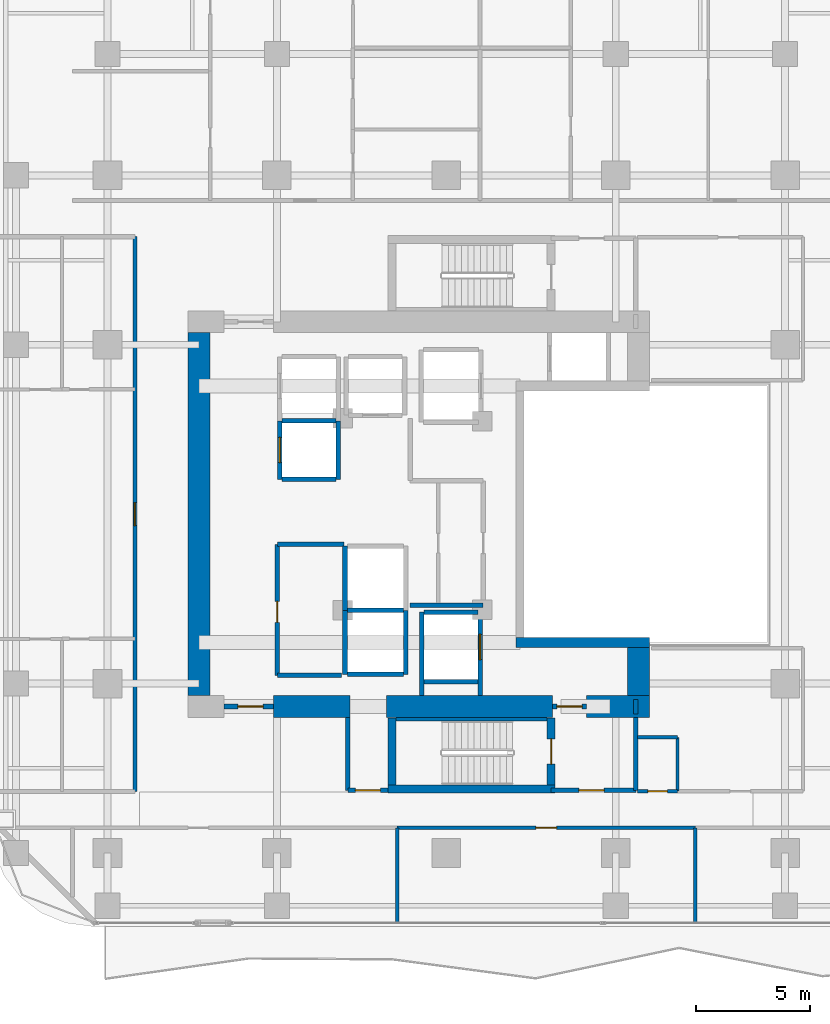
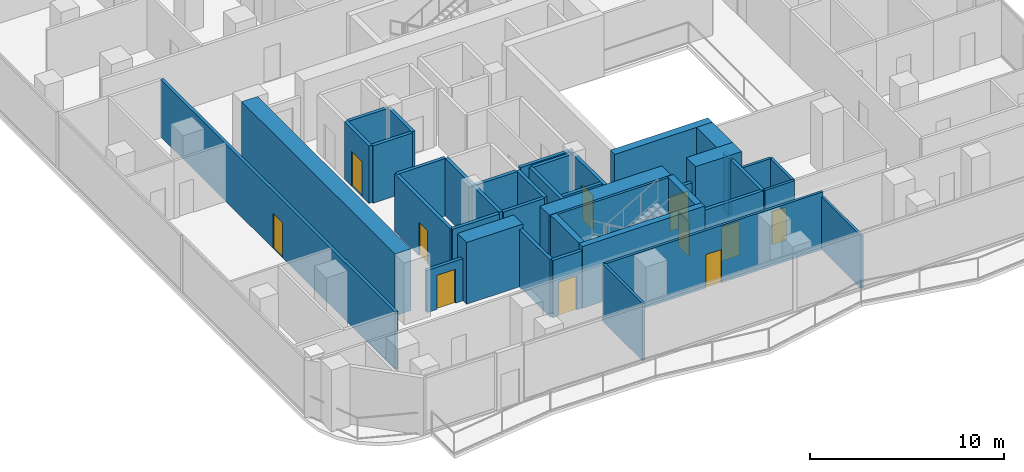
# One storey, part 20 of 27: 41 walls, 11 doors, 11 openings.
"""IFC4 building model written with IfcOpenShell, lengths in metres."""

from ifc_helpers import new_model, si_unit, direction, frame, frame_2d, origin, place, context, subcontext, project, spatial, rectangle, extrude, material, layer, layer_set, type_object, element, fill, save


model = new_model("IFC4")

# Units and contexts
model_context = context("Model", 3, precision=1e-05, world=origin(), true_north=direction((0.0, 1.0)))
body_context = subcontext(model_context, "Body", "Model", "MODEL_VIEW")
ifc_project = project(units=[si_unit("LENGTHUNIT", "METRE"), si_unit("AREAUNIT", "SQUARE_METRE"), si_unit("VOLUMEUNIT", "CUBIC_METRE"), si_unit("PLANEANGLEUNIT", "RADIAN"), si_unit("MASSUNIT", "GRAM", prefix="KILO")], contexts=[model_context])

# Site, building, storey
site_placement = place(None, origin())
site = spatial("IfcSite", under=ifc_project, at=site_placement, CompositionType="ELEMENT")
building_placement = place(site_placement, origin())
building = spatial("IfcBuilding", under=site, at=building_placement, Name="Khorvyn Point Tower", CompositionType="ELEMENT")
storey_placement = place(building_placement, frame((0.0, 0.0, 132.89990234375)))
storey = spatial("IfcBuildingStorey", under=building, at=storey_placement, Name="L33", CompositionType="ELEMENT", Elevation=132.89990234375)

# Wall, opening, door
ifc_material_1 = material(Name="Double acoustic gypsum on twin steel stud", Category="steel")
ifc_layer_1 = layer(ifc_material_1, 0.179931640625)
ifc_layer_set_1 = layer_set([ifc_layer_1], Name="Acoustic Double-Stud Apartment Demising Wall 180")
wall_type_1 = type_object("IfcWallType", Name="Acoustic Double-Stud Apartment Demising Wall 180", PredefinedType="PARTITIONING", material=ifc_layer_set_1)
wall_1_placement = place(storey_placement, frame((-13.60009765625, -12.1201171875, 0.0), z_axis=(0.0, 0.0, 1.0), x_axis=(0.0, 1.0, 0.0)))
wall_1 = element("IfcWall", 1, at=wall_1_placement, inside=storey, type_object=wall_type_1, Name="Wall", PredefinedType="PARTITIONING", context=body_context, shape_type="SweptSolid", body=[
    extrude(rectangle(XDim=24.240234375, YDim=0.179931640625, at=frame_2d((12.1201171875, 0.0))), origin(), (0.0, 0.0, 1.0), 3.6201171875),
])
opening_1_placement = place(wall_1_placement, frame((11.6201171875, 0.0, 0.0)))
opening_1 = element("IfcOpeningElement", 2, at=opening_1_placement, cuts=wall_1, Name="Opening ID-AP60", PredefinedType="OPENING", context=body_context, shape_type="SweptSolid", body=[
    extrude(rectangle(XDim=1.0, YDim=2.199951171875, at=frame_2d((0.5, 1.10009765625))), frame((0.0, 0.099853515625, 0.0), z_axis=(0.0, -1.0, 0.0), x_axis=(1.0, 0.0, 0.0)), (0.0, 0.0, 1.0), 0.199951171875),
])
ifc_material_2 = material(Name="Engineered hardwood fire-rated leaf", Category="wood")
door_type_1 = type_object("IfcDoorType", Name="Acoustic Solid-Core Timber Apartment Entrance Door 1000x2200", OperationType="NOTDEFINED", PredefinedType="DOOR", material=ifc_material_2)
door_1_placement = place(opening_1_placement, origin())
door_1 = element("IfcDoor", 3, at=door_1_placement, inside=storey, type_object=door_type_1, Name="Door", OperationType="SINGLE_SWING_RIGHT", OverallHeight=2.199951171875, OverallWidth=1.0, PredefinedType="DOOR", context=body_context, shape_type="SweptSolid", body=[
    extrude(rectangle(XDim=1.0, YDim=2.199951171875, at=frame_2d((0.5, 1.10009765625))), frame((0.0, 0.02490234375, 0.0), z_axis=(0.0, -1.0, 0.0), x_axis=(1.0, 0.0, 0.0)), (0.0, 0.0, 1.0), 0.050048828125),
])
fill(opening_1, door_1)

# Wall
ifc_material_3 = material(Name="Concrete C40/50", Category="concrete")
ifc_layer_2 = layer(ifc_material_3, 0.449951171875)
ifc_layer_set_2 = layer_set([ifc_layer_2], Name="Concrete C40/50 Core Shear Wall 450")
wall_type_2 = type_object("IfcWallType", Name="Concrete C40/50 Core Shear Wall 450", PredefinedType="SHEAR", material=ifc_layer_set_2)
wall_2_placement = place(storey_placement, frame((3.044921875, -5.60009765625, 0.0), z_axis=(0.0, 0.0, 1.0), x_axis=(1.0, 0.0, 0.0)))
element("IfcWall", 4, at=wall_2_placement, inside=storey, type_object=wall_type_2, Name="Wall", PredefinedType="SHEAR", context=body_context, shape_type="SweptSolid", body=[
    extrude(rectangle(XDim=5.830078125, YDim=0.449951171875, at=frame_2d((2.9150390625, 0.0))), origin(), (0.0, 0.0, 1.0), 3.900146484375),
])

# Wall, opening, door
ifc_layer_3 = layer(ifc_material_3, 0.199951171875)
ifc_layer_set_3 = layer_set([ifc_layer_3], Name="Concrete C40/50 Fire-Lobby Compartment Wall 200")
wall_type_3 = type_object("IfcWallType", Name="Concrete C40/50 Fire-Lobby Compartment Wall 200", PredefinedType="SOLIDWALL", material=ifc_layer_set_3)
wall_3_placement = place(storey_placement, frame((4.580078125, -12.06005859375, 0.0), z_axis=(0.0, 0.0, 1.0), x_axis=(1.0, 0.0, 0.0)))
wall_3 = element("IfcWall", 5, at=wall_3_placement, inside=storey, type_object=wall_type_3, Name="Wall", PredefinedType="SOLIDWALL", context=body_context, shape_type="SweptSolid", body=[
    extrude(rectangle(XDim=3.699951171875, YDim=0.199951171875, at=frame_2d((1.85009765625, 0.0))), origin(), (0.0, 0.0, 1.0), 3.6201171875),
])
opening_2_placement = place(wall_3_placement, frame((1.21240234375, 0.0, 0.0)))
opening_2 = element("IfcOpeningElement", 6, at=opening_2_placement, cuts=wall_3, Name="Opening ID-FL90", PredefinedType="OPENING", context=body_context, shape_type="SweptSolid", body=[
    extrude(rectangle(XDim=1.10009765625, YDim=2.14990234375, at=frame_2d((0.550048828125, 1.074951171875))), frame((0.0, 0.10986328125, 0.0), z_axis=(0.0, -1.0, 0.0), x_axis=(1.0, 0.0, 0.0)), (0.0, 0.0, 1.0), 0.219970703125),
])
ifc_material_4 = material(Name="Galvanised powder-coated steel", Category="steel")
door_type_2 = type_object("IfcDoorType", Name="Fire-Rated Steel Lobby and Stair Door 1100x2150", OperationType="NOTDEFINED", PredefinedType="DOOR", material=ifc_material_4)
door_2_placement = place(opening_2_placement, origin())
door_2 = element("IfcDoor", 7, at=door_2_placement, inside=storey, type_object=door_type_2, Name="Door", OperationType="SINGLE_SWING_LEFT", OverallHeight=2.14990234375, OverallWidth=1.10009765625, PredefinedType="DOOR", context=body_context, shape_type="SweptSolid", body=[
    extrude(rectangle(XDim=1.10009765625, YDim=2.14990234375, at=frame_2d((0.550048828125, 1.074951171875))), frame((0.0, 0.02490234375, 0.0), z_axis=(0.0, -1.0, 0.0), x_axis=(1.0, 0.0, 0.0)), (0.0, 0.0, 1.0), 0.050048828125),
])
fill(opening_2, door_2)

wall_4_placement = place(storey_placement, frame((4.64990234375, -8.39990234375, 0.0), z_axis=(0.0, 0.0, 1.0), x_axis=(1.0, 0.0, 0.0)))
wall_4 = element("IfcWall", 8, at=wall_4_placement, inside=storey, type_object=wall_type_3, Name="Wall", PredefinedType="SOLIDWALL", context=body_context, shape_type="SweptSolid", body=[
    extrude(rectangle(XDim=1.47021484375, YDim=0.199951171875, at=frame_2d((0.735107421875, 0.0))), origin(), (0.0, 0.0, 1.0), 2.66015625),
])
opening_3_placement = place(wall_4_placement, frame((0.18505859375, 0.0, 0.0)))
opening_3 = element("IfcOpeningElement", 9, at=opening_3_placement, cuts=wall_4, Name="Opening ID-FL90", PredefinedType="OPENING", context=body_context, shape_type="SweptSolid", body=[
    extrude(rectangle(XDim=1.10009765625, YDim=2.14990234375, at=frame_2d((0.550048828125, 1.074951171875))), frame((0.0, 0.10986328125, 0.0), z_axis=(0.0, -1.0, 0.0), x_axis=(1.0, 0.0, 0.0)), (0.0, 0.0, 1.0), 0.219970703125),
])
door_3_placement = place(opening_3_placement, origin())
door_3 = element("IfcDoor", 10, at=door_3_placement, inside=storey, type_object=door_type_2, Name="Door", OperationType="SINGLE_SWING_RIGHT", OverallHeight=2.14990234375, OverallWidth=1.10009765625, PredefinedType="DOOR", context=body_context, shape_type="SweptSolid", body=[
    extrude(rectangle(XDim=1.10009765625, YDim=2.14990234375, at=frame_2d((0.550048828125, 1.074951171875))), frame((0.0, 0.02490234375, 0.0), z_axis=(0.0, -1.0, 0.0), x_axis=(1.0, 0.0, 0.0)), (0.0, 0.0, 1.0), 0.050048828125),
])
fill(opening_3, door_3)

wall_5_placement = place(storey_placement, frame((-9.699951171875, -8.39990234375, 0.0), z_axis=(0.0, 0.0, 1.0), x_axis=(1.0, 0.0, 0.0)))
wall_5 = element("IfcWall", 11, at=wall_5_placement, inside=storey, type_object=wall_type_3, Name="Wall", PredefinedType="SOLIDWALL", context=body_context, shape_type="SweptSolid", body=[
    extrude(rectangle(XDim=2.14990234375, YDim=0.199951171875, at=frame_2d((1.074951171875, 0.0))), origin(), (0.0, 0.0, 1.0), 2.66015625),
])
opening_4_placement = place(wall_5_placement, frame((0.597900390625, 0.0, 0.0)))
opening_4 = element("IfcOpeningElement", 12, at=opening_4_placement, cuts=wall_5, Name="Opening ID-FL90", PredefinedType="OPENING", context=body_context, shape_type="SweptSolid", body=[
    extrude(rectangle(XDim=1.10009765625, YDim=2.14990234375, at=frame_2d((0.550048828125, 1.074951171875))), frame((0.0, 0.10986328125, 0.0), z_axis=(0.0, -1.0, 0.0), x_axis=(1.0, 0.0, 0.0)), (0.0, 0.0, 1.0), 0.219970703125),
])
door_4_placement = place(opening_4_placement, origin())
door_4 = element("IfcDoor", 13, at=door_4_placement, inside=storey, type_object=door_type_2, Name="Door", OperationType="SINGLE_SWING_RIGHT", OverallHeight=2.14990234375, OverallWidth=1.10009765625, PredefinedType="DOOR", context=body_context, shape_type="SweptSolid", body=[
    extrude(rectangle(XDim=1.10009765625, YDim=2.14990234375, at=frame_2d((0.550048828125, 1.074951171875))), frame((0.0, 0.02490234375, 0.0), z_axis=(0.0, -1.0, 0.0), x_axis=(1.0, 0.0, 0.0)), (0.0, 0.0, 1.0), 0.050048828125),
])
fill(opening_4, door_4)

wall_6_placement = place(storey_placement, frame((-4.300048828125, -12.06005859375, 0.0), z_axis=(0.0, 0.0, 1.0), x_axis=(1.0, 0.0, 0.0)))
wall_6 = element("IfcWall", 14, at=wall_6_placement, inside=storey, type_object=wall_type_3, Name="Wall", PredefinedType="SOLIDWALL", context=body_context, shape_type="SweptSolid", body=[
    extrude(rectangle(XDim=1.75, YDim=0.199951171875, at=frame_2d((0.875, 0.0))), origin(), (0.0, 0.0, 1.0), 3.6201171875),
])
opening_5_placement = place(wall_6_placement, frame((0.324951171875, 0.0, 0.0)))
opening_5 = element("IfcOpeningElement", 15, at=opening_5_placement, cuts=wall_6, Name="Opening ID-FL90", PredefinedType="OPENING", context=body_context, shape_type="SweptSolid", body=[
    extrude(rectangle(XDim=1.10009765625, YDim=2.14990234375, at=frame_2d((0.550048828125, 1.074951171875))), frame((0.0, 0.10986328125, 0.0), z_axis=(0.0, -1.0, 0.0), x_axis=(1.0, 0.0, 0.0)), (0.0, 0.0, 1.0), 0.219970703125),
])
door_5_placement = place(opening_5_placement, origin())
door_5 = element("IfcDoor", 16, at=door_5_placement, inside=storey, type_object=door_type_2, Name="Door", OperationType="SINGLE_SWING_RIGHT", OverallHeight=2.14990234375, OverallWidth=1.10009765625, PredefinedType="DOOR", context=body_context, shape_type="SweptSolid", body=[
    extrude(rectangle(XDim=1.10009765625, YDim=2.14990234375, at=frame_2d((0.550048828125, 1.074951171875))), frame((0.0, 0.02490234375, 0.0), z_axis=(0.0, -1.0, 0.0), x_axis=(1.0, 0.0, 0.0)), (0.0, 0.0, 1.0), 0.050048828125),
])
fill(opening_5, door_5)

wall_7_placement = place(storey_placement, frame((-7.3798828125, -7.0400390625, 0.0), z_axis=(0.0, 0.0, 1.0), x_axis=(0.0, 1.0, 0.0)))
wall_7 = element("IfcWall", 17, at=wall_7_placement, inside=storey, type_object=wall_type_3, Name="Wall", PredefinedType="SOLIDWALL", context=body_context, shape_type="SweptSolid", body=[
    extrude(rectangle(XDim=5.719970703125, YDim=0.199951171875, at=frame_2d((2.85986328125, 0.0))), origin(), (0.0, 0.0, 1.0), 3.6201171875),
])
opening_6_placement = place(wall_7_placement, frame((2.310302734375, 0.0, 0.0)))
opening_6 = element("IfcOpeningElement", 18, at=opening_6_placement, cuts=wall_7, Name="Opening ID-RS60", PredefinedType="OPENING", context=body_context, shape_type="SweptSolid", body=[
    extrude(rectangle(XDim=0.919921875, YDim=2.10009765625, at=frame_2d((0.4599609375, 1.050048828125))), frame((0.0, 0.10986328125, 0.0), z_axis=(0.0, -1.0, 0.0), x_axis=(1.0, 0.0, 0.0)), (0.0, 0.0, 1.0), 0.219970703125),
])
door_type_3 = type_object("IfcDoorType", Name="Fire-Rated Riser and Store Steel Door 920x2100", OperationType="NOTDEFINED", PredefinedType="DOOR", material=ifc_material_4)
door_6_placement = place(opening_6_placement, origin())
door_6 = element("IfcDoor", 19, at=door_6_placement, inside=storey, type_object=door_type_3, Name="Door", OperationType="SINGLE_SWING_LEFT", OverallHeight=2.10009765625, OverallWidth=0.919921875, PredefinedType="DOOR", context=body_context, shape_type="SweptSolid", body=[
    extrude(rectangle(XDim=0.919921875, YDim=2.10009765625, at=frame_2d((0.4599609375, 1.050048828125))), frame((0.0, 0.02490234375, 0.0), z_axis=(0.0, -1.0, 0.0), x_axis=(1.0, 0.0, 0.0)), (0.0, 0.0, 1.0), 0.050048828125),
])
fill(opening_6, door_6)

# Walls
for number, where, z_axis, x_axis, name in (
    (20, (8.280029296875, -12.06005859375, 0.0), (0.0, 0.0, 1.0), (0.0, 1.0, 0.0), "Wall"),
    (21, (-4.300048828125, -12.06005859375, 0.0), (0.0, 0.0, 1.0), (0.0, 1.0, 0.0), "Wall"),
):
    element("IfcWall", number, at=place(storey_placement, frame(where, z_axis=z_axis, x_axis=x_axis)), inside=storey, type_object=wall_type_3, Name=name, PredefinedType="SOLIDWALL", context=body_context, shape_type="SweptSolid", body=[
        extrude(rectangle(XDim=3.18505859375, YDim=0.199951171875, at=frame_2d((1.592529296875, 0.0))), origin(), (0.0, 0.0, 1.0), 3.6201171875),
    ])
wall_8_placement = place(storey_placement, frame((-7.3798828125, -1.320068359375, 0.0), z_axis=(0.0, 0.0, 1.0), x_axis=(1.0, 0.0, 0.0)))
element("IfcWall", 22, at=wall_8_placement, inside=storey, type_object=wall_type_3, Name="Wall", PredefinedType="SOLIDWALL", context=body_context, shape_type="SweptSolid", body=[
    extrude(rectangle(XDim=2.909912109375, YDim=0.199951171875, at=frame_2d((1.455078125, 0.0))), origin(), (0.0, 0.0, 1.0), 3.6201171875),
])
wall_9_placement = place(storey_placement, frame((-1.580078125, -3.97998046875, 0.0), z_axis=(0.0, 0.0, 1.0), x_axis=(1.0, 0.0, 0.0)))
element("IfcWall", 23, at=wall_9_placement, inside=storey, type_object=wall_type_3, Name="Wall", PredefinedType="SOLIDWALL", context=body_context, shape_type="SweptSolid", body=[
    extrude(rectangle(XDim=3.190185546875, YDim=0.199951171875, at=frame_2d((1.59521484375, 0.0))), origin(), (0.0, 0.0, 1.0), 3.6201171875),
])
wall_10_placement = place(storey_placement, frame((-7.3798828125, -7.0400390625, 0.0), z_axis=(0.0, 0.0, 1.0), x_axis=(1.0, 0.0, 0.0)))
element("IfcWall", 24, at=wall_10_placement, inside=storey, type_object=wall_type_3, Name="Wall", PredefinedType="SOLIDWALL", context=body_context, shape_type="SweptSolid", body=[
    extrude(rectangle(XDim=2.7998046875, YDim=0.199951171875, at=frame_2d((1.39990234375, 0.0))), origin(), (0.0, 0.0, 1.0), 3.6201171875),
])
wall_11_placement = place(storey_placement, frame((8.280029296875, -8.72509765625, 0.0), z_axis=(0.0, 0.0, 1.0), x_axis=(0.0, 1.0, 0.0)))
element("IfcWall", 25, at=wall_11_placement, inside=storey, type_object=wall_type_3, Name="Wall", PredefinedType="SOLIDWALL", context=body_context, shape_type="SweptSolid", body=[
    extrude(rectangle(XDim=0.625, YDim=0.199951171875, at=frame_2d((0.3125, 0.0))), origin(), (0.0, 0.0, 1.0), 3.6201171875),
])
ifc_layer_4 = layer(ifc_material_3, 0.25)
ifc_layer_set_4 = layer_set([ifc_layer_4], Name="Concrete C40/50 Stair Inner Cheek Structural Wall 250")
wall_type_4 = type_object("IfcWallType", Name="Concrete C40/50 Stair Inner Cheek Structural Wall 250", PredefinedType="SHEAR", material=ifc_layer_set_4)
wall_12_placement = place(storey_placement, frame((-2.199951171875, -8.949951171875, 0.0), z_axis=(0.0, 0.0, 1.0), x_axis=(1.0, 0.0, 0.0)))
element("IfcWall", 26, at=wall_12_placement, inside=storey, type_object=wall_type_4, Name="Wall", PredefinedType="SHEAR", context=body_context, shape_type="SweptSolid", body=[
    extrude(rectangle(XDim=6.599853515625, YDim=0.14990234375, at=frame_2d((3.2998046875, 0.0))), origin(), (0.0, 0.0, 1.0), 3.900146484375),
])
ifc_layer_5 = layer(ifc_material_3, 0.35009765625)
ifc_layer_set_5 = layer_set([ifc_layer_5], Name="Concrete C40/50 Stair Shaft Structural Wall 350")
wall_type_5 = type_object("IfcWallType", Name="Concrete C40/50 Stair Shaft Structural Wall 350", PredefinedType="SHEAR", material=ifc_layer_set_5)
wall_13_placement = place(storey_placement, frame((-2.554931640625, -12.0, 0.0), z_axis=(0.0, 0.0, 1.0), x_axis=(1.0, 0.0, 0.0)))
element("IfcWall", 27, at=wall_13_placement, inside=storey, type_object=wall_type_5, Name="L33 ST-01 South Shaft Wall", PredefinedType="SHEAR", context=body_context, shape_type="SweptSolid", body=[
    extrude(rectangle(XDim=7.309814453125, YDim=0.35009765625, at=frame_2d((3.65478515625, 0.0))), origin(), (0.0, 0.0, 1.0), 3.900146484375),
])
wall_14_placement = place(storey_placement, frame((-2.3798828125, -11.824951171875, 0.0), z_axis=(0.0, 0.0, 1.0), x_axis=(0.0, 1.0, 0.0)))
element("IfcWall", 28, at=wall_14_placement, inside=storey, type_object=wall_type_5, Name="L33 ST-01 West Shaft Wall", PredefinedType="SHEAR", context=body_context, shape_type="SweptSolid", body=[
    extrude(rectangle(XDim=2.925048828125, YDim=0.35009765625, at=frame_2d((1.46240234375, 0.0))), origin(), (0.0, 0.0, 1.0), 3.900146484375),
])

# Wall, opening, door
wall_15_placement = place(storey_placement, frame((4.580078125, -8.89990234375, 0.0), z_axis=(0.0, 0.0, 1.0), x_axis=(0.0, -1.0, 0.0)))
wall_15 = element("IfcWall", 29, at=wall_15_placement, inside=storey, type_object=wall_type_5, Name="L33 ST-01 East Landing Door Wall", PredefinedType="SHEAR", context=body_context, shape_type="SweptSolid", body=[
    extrude(rectangle(XDim=2.925048828125, YDim=0.35009765625, at=frame_2d((1.46240234375, 0.0))), origin(), (0.0, 0.0, 1.0), 3.900146484375),
])
opening_7_placement = place(wall_15_placement, frame((0.91259765625, 0.0, 0.0)))
opening_7 = element("IfcOpeningElement", 30, at=opening_7_placement, cuts=wall_15, Name="Opening ID-FL90", PredefinedType="OPENING", context=body_context, shape_type="SweptSolid", body=[
    extrude(rectangle(XDim=1.10009765625, YDim=2.14990234375, at=frame_2d((0.550048828125, 1.074951171875))), frame((0.0, 0.18505859375, 0.0), z_axis=(0.0, -1.0, 0.0), x_axis=(1.0, 0.0, 0.0)), (0.0, 0.0, 1.0), 0.3701171875),
])
door_7_placement = place(opening_7_placement, origin())
door_7 = element("IfcDoor", 31, at=door_7_placement, inside=storey, type_object=door_type_2, Name="L33 ST-01 Smokeproof Landing Door", OperationType="SINGLE_SWING_LEFT", OverallHeight=2.14990234375, OverallWidth=1.10009765625, PredefinedType="DOOR", context=body_context, shape_type="SweptSolid", body=[
    extrude(rectangle(XDim=1.10009765625, YDim=2.14990234375, at=frame_2d((0.550048828125, 1.074951171875))), frame((0.0, 0.02490234375, 0.0), z_axis=(0.0, -1.0, 0.0), x_axis=(1.0, 0.0, 0.0)), (0.0, 0.0, 1.0), 0.050048828125),
])
fill(opening_7, door_7)

ifc_layer_6 = layer(ifc_material_3, 0.199951171875)
ifc_layer_set_6 = layer_set([ifc_layer_6], Name="Concrete C40/50 Structural Hoistway and Stair Shaft Wall 200")
wall_type_6 = type_object("IfcWallType", Name="Concrete C40/50 Structural Hoistway and Stair Shaft Wall 200", PredefinedType="SHEAR", material=ifc_layer_set_6)
wall_16_placement = place(storey_placement, frame((-7.27490234375, 1.52490234375, 0.0), z_axis=(0.0, 0.0, 1.0), x_axis=(0.0, 1.0, 0.0)))
wall_16 = element("IfcWall", 32, at=wall_16_placement, inside=storey, type_object=wall_type_6, Name="Wall", PredefinedType="SHEAR", context=body_context, shape_type="SweptSolid", body=[
    extrude(rectangle(XDim=2.550048828125, YDim=0.199951171875, at=frame_2d((1.27490234375, 0.0))), origin(), (0.0, 0.0, 1.0), 3.6201171875),
])
opening_8_placement = place(wall_16_placement, frame((0.72509765625, 0.0, 0.0)))
opening_8 = element("IfcOpeningElement", 33, at=opening_8_placement, cuts=wall_16, Name="Opening LD-1122", PredefinedType="OPENING", context=body_context, shape_type="SweptSolid", body=[
    extrude(rectangle(XDim=1.10009765625, YDim=2.199951171875, at=frame_2d((0.550048828125, 1.10009765625))), frame((0.0, 0.10986328125, 0.0), z_axis=(0.0, -1.0, 0.0), x_axis=(1.0, 0.0, 0.0)), (0.0, 0.0, 1.0), 0.219970703125),
])
ifc_material_5 = material(Name="Stainless steel 1.4301", Category="steel")
door_type_4 = type_object("IfcDoorType", Name="Stainless Steel Automatic Sliding Lift Landing Door 1100x2200", OperationType="SLIDING_TO_LEFT", PredefinedType="DOOR", material=ifc_material_5)
door_8_placement = place(opening_8_placement, origin())
door_8 = element("IfcDoor", 34, at=door_8_placement, inside=storey, type_object=door_type_4, Name="L33 RM-01 Sliding Lift Landing Door", OperationType="SLIDING_TO_LEFT", OverallHeight=2.199951171875, OverallWidth=1.10009765625, PredefinedType="DOOR", context=body_context, shape_type="SweptSolid", body=[
    extrude(rectangle(XDim=1.10009765625, YDim=2.199951171875, at=frame_2d((0.550048828125, 1.10009765625))), frame((0.0, 0.02490234375, 0.0), z_axis=(0.0, -1.0, 0.0), x_axis=(1.0, 0.0, 0.0)), (0.0, 0.0, 1.0), 0.050048828125),
])
fill(opening_8, door_8)

# Walls
wall_17_placement = place(storey_placement, frame((-4.72509765625, 1.52490234375, 0.0), z_axis=(0.0, 0.0, 1.0), x_axis=(0.0, 1.0, 0.0)))
element("IfcWall", 35, at=wall_17_placement, inside=storey, type_object=wall_type_6, Name="Wall", PredefinedType="SHEAR", context=body_context, shape_type="SweptSolid", body=[
    extrude(rectangle(XDim=2.550048828125, YDim=0.199951171875, at=frame_2d((1.27490234375, 0.0))), origin(), (0.0, 0.0, 1.0), 3.6201171875),
])
for number, where, z_axis, x_axis, name in (
    (36, (-7.175048828125, 1.52490234375, 0.0), (0.0, 0.0, 1.0), (1.0, 0.0, 0.0), "Wall"),
    (37, (-7.175048828125, 4.074951171875, 0.0), (0.0, 0.0, 1.0), (1.0, 0.0, 0.0), "Wall"),
):
    element("IfcWall", number, at=place(storey_placement, frame(where, z_axis=z_axis, x_axis=x_axis)), inside=storey, type_object=wall_type_6, Name=name, PredefinedType="SHEAR", context=body_context, shape_type="SweptSolid", body=[
        extrude(rectangle(XDim=2.35009765625, YDim=0.199951171875, at=frame_2d((1.175048828125, 0.0))), origin(), (0.0, 0.0, 1.0), 3.6201171875),
    ])
for number, where, z_axis, x_axis, name in (
    (38, (-4.425048828125, -7.0, 0.0), (0.0, 0.0, 1.0), (0.0, 1.0, 0.0), "Wall"),
    (39, (-1.77490234375, -7.0, 0.0), (0.0, 0.0, 1.0), (0.0, 1.0, 0.0), "Wall"),
):
    element("IfcWall", number, at=place(storey_placement, frame(where, z_axis=z_axis, x_axis=x_axis)), inside=storey, type_object=wall_type_6, Name=name, PredefinedType="SHEAR", context=body_context, shape_type="SweptSolid", body=[
        extrude(rectangle(XDim=2.800048828125, YDim=0.199951171875, at=frame_2d((1.39990234375, 0.0))), origin(), (0.0, 0.0, 1.0), 3.6201171875),
    ])
for number, where, z_axis, x_axis, name in (
    (40, (-4.324951171875, -7.0, 0.0), (0.0, 0.0, 1.0), (1.0, 0.0, 0.0), "Wall"),
    (41, (-4.324951171875, -4.199951171875, 0.0), (0.0, 0.0, 1.0), (1.0, 0.0, 0.0), "Wall"),
):
    element("IfcWall", number, at=place(storey_placement, frame(where, z_axis=z_axis, x_axis=x_axis)), inside=storey, type_object=wall_type_6, Name=name, PredefinedType="SHEAR", context=body_context, shape_type="SweptSolid", body=[
        extrude(rectangle(XDim=2.449951171875, YDim=0.199951171875, at=frame_2d((1.22509765625, 0.0))), origin(), (0.0, 0.0, 1.0), 3.6201171875),
    ])
wall_18_placement = place(storey_placement, frame((-4.425048828125, -4.199951171875, 0.0), z_axis=(0.0, 0.0, 1.0), x_axis=(0.0, 1.0, 0.0)))
element("IfcWall", 42, at=wall_18_placement, inside=storey, type_object=wall_type_6, Name="Wall", PredefinedType="SHEAR", context=body_context, shape_type="SweptSolid", body=[
    extrude(rectangle(XDim=2.800048828125, YDim=0.199951171875, at=frame_2d((1.39990234375, 0.0))), origin(), (0.0, 0.0, 1.0), 3.6201171875),
])
wall_19_placement = place(storey_placement, frame((-1.074951171875, -7.925048828125, 0.0), z_axis=(0.0, 0.0, 1.0), x_axis=(0.0, 1.0, 0.0)))
element("IfcWall", 43, at=wall_19_placement, inside=storey, type_object=wall_type_6, Name="Wall", PredefinedType="SHEAR", context=body_context, shape_type="SweptSolid", body=[
    extrude(rectangle(XDim=3.650146484375, YDim=0.199951171875, at=frame_2d((1.8251953125, 0.0))), origin(), (0.0, 0.0, 1.0), 3.6201171875),
])

# Wall, opening, door
wall_20_placement = place(storey_placement, frame((1.47509765625, -7.925048828125, 0.0), z_axis=(0.0, 0.0, 1.0), x_axis=(0.0, 1.0, 0.0)))
wall_20 = element("IfcWall", 44, at=wall_20_placement, inside=storey, type_object=wall_type_6, Name="Wall", PredefinedType="SHEAR", context=body_context, shape_type="SweptSolid", body=[
    extrude(rectangle(XDim=3.650146484375, YDim=0.199951171875, at=frame_2d((1.8251953125, 0.0))), origin(), (0.0, 0.0, 1.0), 3.6201171875),
])
opening_9_placement = place(wall_20_placement, frame((1.574951171875, 0.0, 0.0)))
opening_9 = element("IfcOpeningElement", 45, at=opening_9_placement, cuts=wall_20, Name="Opening LD-1122", PredefinedType="OPENING", context=body_context, shape_type="SweptSolid", body=[
    extrude(rectangle(XDim=1.10009765625, YDim=2.199951171875, at=frame_2d((0.550048828125, 1.10009765625))), frame((0.0, 0.10986328125, 0.0), z_axis=(0.0, -1.0, 0.0), x_axis=(1.0, 0.0, 0.0)), (0.0, 0.0, 1.0), 0.219970703125),
])
door_9_placement = place(opening_9_placement, origin())
door_9 = element("IfcDoor", 46, at=door_9_placement, inside=storey, type_object=door_type_4, Name="L33 FF-01 Sliding Lift Landing Door", OperationType="SLIDING_TO_LEFT", OverallHeight=2.199951171875, OverallWidth=1.10009765625, PredefinedType="DOOR", context=body_context, shape_type="SweptSolid", body=[
    extrude(rectangle(XDim=1.10009765625, YDim=2.199951171875, at=frame_2d((0.550048828125, 1.10009765625))), frame((0.0, 0.02490234375, 0.0), z_axis=(0.0, -1.0, 0.0), x_axis=(1.0, 0.0, 0.0)), (0.0, 0.0, 1.0), 0.050048828125),
])
fill(opening_9, door_9)

# Walls
for number, where, z_axis, x_axis, name in (
    (47, (-0.97509765625, -7.324951171875, 0.0), (0.0, 0.0, 1.0), (1.0, 0.0, 0.0), "Wall"),
    (48, (-0.97509765625, -4.27490234375, 0.0), (0.0, 0.0, 1.0), (1.0, 0.0, 0.0), "Wall"),
):
    element("IfcWall", number, at=place(storey_placement, frame(where, z_axis=z_axis, x_axis=x_axis)), inside=storey, type_object=wall_type_6, Name=name, PredefinedType="SHEAR", context=body_context, shape_type="SweptSolid", body=[
        extrude(rectangle(XDim=2.35009765625, YDim=0.199951171875, at=frame_2d((1.175048828125, 0.0))), origin(), (0.0, 0.0, 1.0), 3.6201171875),
    ])
ifc_material_6 = material(Name="Concrete C50/60", Category="concrete")
ifc_layer_7 = layer(ifc_material_6, 0.949951171875)
ifc_layer_set_7 = layer_set([ifc_layer_7], Name="Concrete C50/60 Core Shear Wall 950")
wall_type_7 = type_object("IfcWallType", Name="Concrete C50/60 Core Shear Wall 950", PredefinedType="SHEAR", material=ifc_layer_set_7)
wall_21_placement = place(storey_placement, frame((-7.550048828125, -8.39990234375, 0.0), z_axis=(0.0, 0.0, 1.0), x_axis=(1.0, 0.0, 0.0)))
element("IfcWall", 49, at=wall_21_placement, inside=storey, type_object=wall_type_7, Name="Wall", PredefinedType="SHEAR", context=body_context, shape_type="SweptSolid", body=[
    extrude(rectangle(XDim=3.35009765625, YDim=0.949951171875, at=frame_2d((1.675048828125, 0.0))), origin(), (0.0, 0.0, 1.0), 3.900146484375),
])
wall_22_placement = place(storey_placement, frame((-2.6201171875, -8.39990234375, 0.0), z_axis=(0.0, 0.0, 1.0), x_axis=(1.0, 0.0, 0.0)))
element("IfcWall", 50, at=wall_22_placement, inside=storey, type_object=wall_type_7, Name="Wall", PredefinedType="SHEAR", context=body_context, shape_type="SweptSolid", body=[
    extrude(rectangle(XDim=7.27001953125, YDim=0.949951171875, at=frame_2d((3.635009765625, 0.0))), origin(), (0.0, 0.0, 1.0), 3.900146484375),
])
wall_23_placement = place(storey_placement, frame((6.1201171875, -8.39990234375, 0.0), z_axis=(0.0, 0.0, 1.0), x_axis=(1.0, 0.0, 0.0)))
element("IfcWall", 51, at=wall_23_placement, inside=storey, type_object=wall_type_7, Name="Wall", PredefinedType="SHEAR", context=body_context, shape_type="SweptSolid", body=[
    extrude(rectangle(XDim=2.7548828125, YDim=0.949951171875, at=frame_2d((1.37744140625, 0.0))), origin(), (0.0, 0.0, 1.0), 3.900146484375),
])
wall_24_placement = place(storey_placement, frame((-10.800048828125, -7.925048828125, 0.0), z_axis=(0.0, 0.0, 1.0), x_axis=(0.0, 1.0, 0.0)))
element("IfcWall", 52, at=wall_24_placement, inside=storey, type_object=wall_type_7, Name="Wall", PredefinedType="SHEAR", context=body_context, shape_type="SweptSolid", body=[
    extrude(rectangle(XDim=15.85009765625, YDim=0.949951171875, at=frame_2d((7.925048828125, 0.0))), origin(), (0.0, 0.0, 1.0), 3.900146484375),
])
wall_25_placement = place(storey_placement, frame((8.39990234375, -7.925048828125, 0.0), z_axis=(0.0, 0.0, 1.0), x_axis=(0.0, 1.0, 0.0)))
element("IfcWall", 53, at=wall_25_placement, inside=storey, type_object=wall_type_7, Name="Wall", PredefinedType="SHEAR", context=body_context, shape_type="SweptSolid", body=[
    extrude(rectangle(XDim=2.10009765625, YDim=0.949951171875, at=frame_2d((1.050048828125, 0.0))), origin(), (0.0, 0.0, 1.0), 3.900146484375),
])

# Wall, opening, door
ifc_material_7 = material(Name="Moisture-resistant gypsum and cement board", Category="gypsum")
ifc_layer_8 = layer(ifc_material_7, 0.14990234375)
ifc_layer_set_8 = layer_set([ifc_layer_8], Name="Moisture-Resistant Wet-Room Partition Wall 150")
wall_type_8 = type_object("IfcWallType", Name="Moisture-Resistant Wet-Room Partition Wall 150", PredefinedType="PARTITIONING", material=ifc_layer_set_8)
wall_26_placement = place(storey_placement, frame((8.360107421875, -12.10009765625, 0.0), z_axis=(0.0, 0.0, 1.0), x_axis=(1.0, 0.0, 0.0)))
wall_26 = element("IfcWall", 54, at=wall_26_placement, inside=storey, type_object=wall_type_8, Name="Wall", PredefinedType="PARTITIONING", context=body_context, shape_type="SweptSolid", body=[
    extrude(rectangle(XDim=1.739990234375, YDim=0.14990234375, at=frame_2d((0.8701171875, 0.0))), origin(), (0.0, 0.0, 1.0), 3.6201171875),
])
opening_10_placement = place(wall_26_placement, frame((0.445068359375, 0.0, 0.0)))
opening_10 = element("IfcOpeningElement", 55, at=opening_10_placement, cuts=wall_26, Name="Opening ID-WC85", PredefinedType="OPENING", context=body_context, shape_type="SweptSolid", body=[
    extrude(rectangle(XDim=0.85009765625, YDim=2.10009765625, at=frame_2d((0.425048828125, 1.050048828125))), frame((0.0, 0.0849609375, 0.0), z_axis=(0.0, -1.0, 0.0), x_axis=(1.0, 0.0, 0.0)), (0.0, 0.0, 1.0), 0.169921875),
])
ifc_material_8 = material(Name="High-pressure laminate on moisture-resistant core", Category="wood")
door_type_5 = type_object("IfcDoorType", Name="Moisture-Resistant Accessible Washroom Door 850x2100", OperationType="NOTDEFINED", PredefinedType="DOOR", material=ifc_material_8)
door_10_placement = place(opening_10_placement, origin())
door_10 = element("IfcDoor", 56, at=door_10_placement, inside=storey, type_object=door_type_5, Name="Door", OperationType="SINGLE_SWING_RIGHT", OverallHeight=2.10009765625, OverallWidth=0.85009765625, PredefinedType="DOOR", context=body_context, shape_type="SweptSolid", body=[
    extrude(rectangle(XDim=0.85009765625, YDim=2.10009765625, at=frame_2d((0.425048828125, 1.050048828125))), frame((0.0, 0.02490234375, 0.0), z_axis=(0.0, -1.0, 0.0), x_axis=(1.0, 0.0, 0.0)), (0.0, 0.0, 1.0), 0.050048828125),
])
fill(opening_10, door_10)

wall_27_placement = place(storey_placement, frame((-2.14990234375, -13.699951171875, 0.0), z_axis=(0.0, 0.0, 1.0), x_axis=(1.0, 0.0, 0.0)))
wall_27 = element("IfcWall", 57, at=wall_27_placement, inside=storey, type_object=wall_type_8, Name="Wall", PredefinedType="PARTITIONING", context=body_context, shape_type="SweptSolid", body=[
    extrude(rectangle(XDim=13.031005859375, YDim=0.14990234375, at=frame_2d((6.515625, 0.0))), origin(), (0.0, 0.0, 1.0), 3.6201171875),
])
opening_11_placement = place(wall_27_placement, frame((6.0654296875, 0.0, 0.0)))
opening_11 = element("IfcOpeningElement", 58, at=opening_11_placement, cuts=wall_27, Name="Opening ID-RM90", PredefinedType="OPENING", context=body_context, shape_type="SweptSolid", body=[
    extrude(rectangle(XDim=0.89990234375, YDim=2.10009765625, at=frame_2d((0.449951171875, 1.050048828125))), frame((0.0, 0.0849609375, 0.0), z_axis=(0.0, -1.0, 0.0), x_axis=(1.0, 0.0, 0.0)), (0.0, 0.0, 1.0), 0.169921875),
])
ifc_material_9 = material(Name="Engineered oak veneer timber", Category="wood")
door_type_6 = type_object("IfcDoorType", Name="Flush Engineered Timber Room Door 900x2100", OperationType="NOTDEFINED", PredefinedType="DOOR", material=ifc_material_9)
door_11_placement = place(opening_11_placement, origin())
door_11 = element("IfcDoor", 59, at=door_11_placement, inside=storey, type_object=door_type_6, Name="Door", OperationType="SINGLE_SWING_RIGHT", OverallHeight=2.10009765625, OverallWidth=0.89990234375, PredefinedType="DOOR", context=body_context, shape_type="SweptSolid", body=[
    extrude(rectangle(XDim=0.89990234375, YDim=2.10009765625, at=frame_2d((0.449951171875, 1.050048828125))), frame((0.0, 0.02490234375, 0.0), z_axis=(0.0, -1.0, 0.0), x_axis=(1.0, 0.0, 0.0)), (0.0, 0.0, 1.0), 0.050048828125),
])
fill(opening_11, door_11)

# Walls
wall_28_placement = place(storey_placement, frame((8.360107421875, -9.75, 0.0), z_axis=(0.0, 0.0, 1.0), x_axis=(1.0, 0.0, 0.0)))
element("IfcWall", 60, at=wall_28_placement, inside=storey, type_object=wall_type_8, Name="Wall", PredefinedType="PARTITIONING", context=body_context, shape_type="SweptSolid", body=[
    extrude(rectangle(XDim=1.739990234375, YDim=0.14990234375, at=frame_2d((0.8701171875, 0.0))), origin(), (0.0, 0.0, 1.0), 3.6201171875),
])
wall_29_placement = place(storey_placement, frame((10.10009765625, -12.10009765625, 0.0), z_axis=(0.0, 0.0, 1.0), x_axis=(0.0, 1.0, 0.0)))
element("IfcWall", 61, at=wall_29_placement, inside=storey, type_object=wall_type_8, Name="Wall", PredefinedType="PARTITIONING", context=body_context, shape_type="SweptSolid", body=[
    extrude(rectangle(XDim=2.35009765625, YDim=0.14990234375, at=frame_2d((1.175048828125, 0.0))), origin(), (0.0, 0.0, 1.0), 3.6201171875),
])
wall_30_placement = place(storey_placement, frame((-2.14990234375, -17.830078125, 0.0), z_axis=(0.0, 0.0, 1.0), x_axis=(0.0, 1.0, 0.0)))
element("IfcWall", 62, at=wall_30_placement, inside=storey, type_object=wall_type_8, Name="Wall", PredefinedType="PARTITIONING", context=body_context, shape_type="SweptSolid", body=[
    extrude(rectangle(XDim=4.130126953125, YDim=0.14990234375, at=frame_2d((2.06494140625, 0.0))), origin(), (0.0, 0.0, 1.0), 3.6201171875),
])
wall_31_placement = place(storey_placement, frame((10.881103515625, -17.830078125, 0.0), z_axis=(0.0, 0.0, 1.0), x_axis=(0.0, 1.0, 0.0)))
element("IfcWall", 63, at=wall_31_placement, inside=storey, type_object=wall_type_8, Name="Wall", PredefinedType="PARTITIONING", context=body_context, shape_type="SweptSolid", body=[
    extrude(rectangle(XDim=4.130126953125, YDim=0.14990234375, at=frame_2d((2.06494140625, 0.0))), origin(), (0.0, 0.0, 1.0), 3.31005859375),
])

save(model, "model.ifc")
